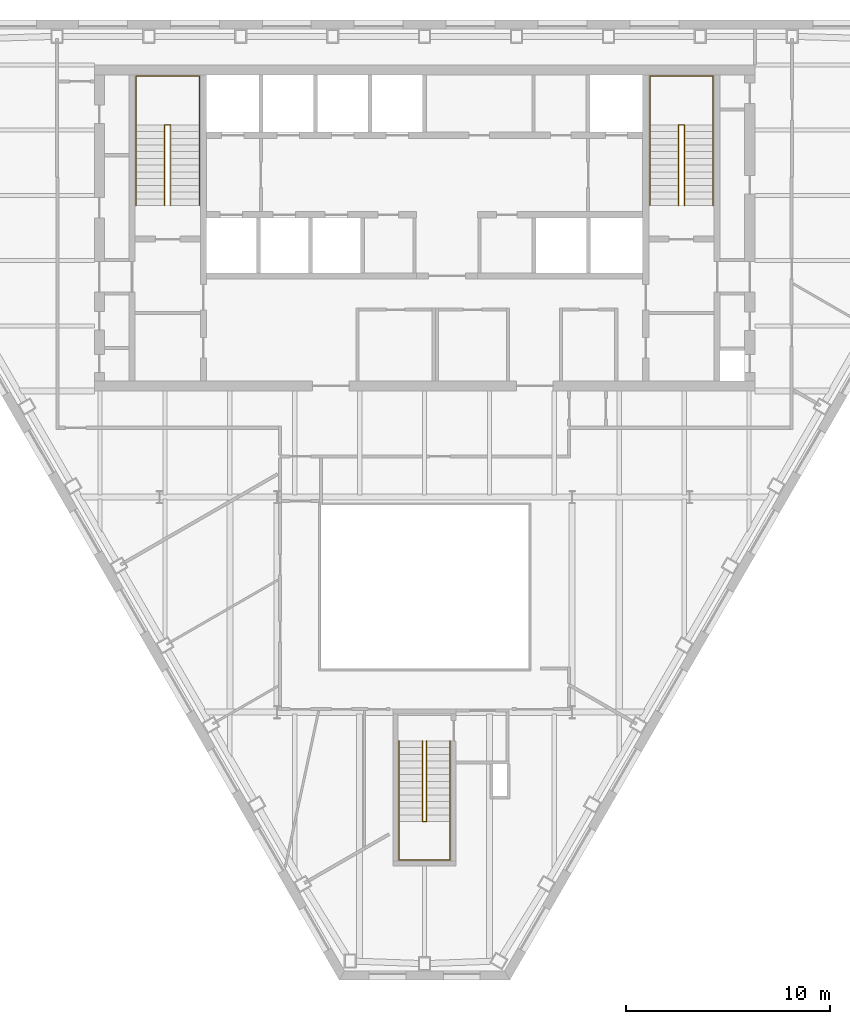
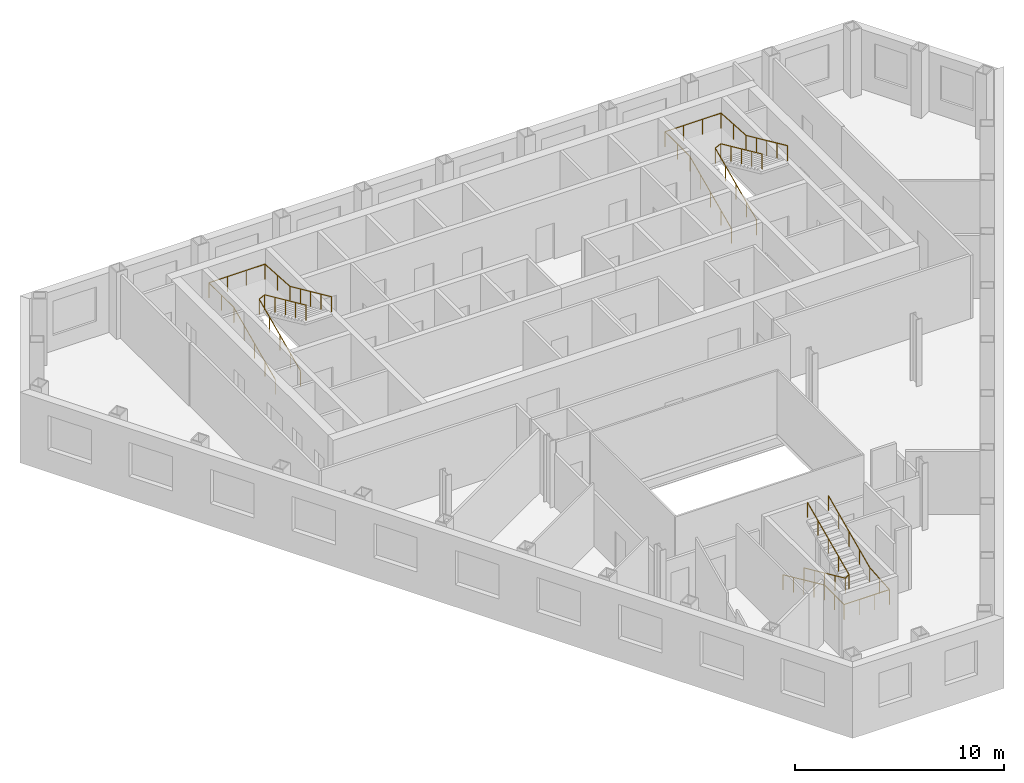
# One storey, part 10 of 10: 6 railings.
"""IFC4 building model written with IfcOpenShell, lengths in metres."""

from ifc_helpers import new_model, si_unit, direction, frame, origin, origin_2d, place, context, subcontext, project, spatial, circle, extrude, material, type_object, element, save


model = new_model("IFC4")

# Units and contexts
model_context = context("Model", 3, precision=1e-05, world=origin(), true_north=direction((0.0, 1.0)))
body_context = subcontext(model_context, "Body", "Model", "MODEL_VIEW")
ifc_project = project(units=[si_unit("LENGTHUNIT", "METRE"), si_unit("AREAUNIT", "SQUARE_METRE"), si_unit("VOLUMEUNIT", "CUBIC_METRE"), si_unit("PLANEANGLEUNIT", "RADIAN"), si_unit("MASSUNIT", "GRAM", prefix="KILO")], contexts=[model_context])

# Site, building, storey
site_placement = place(None, origin())
site = spatial("IfcSite", under=ifc_project, at=site_placement, CompositionType="ELEMENT")
building_placement = place(site_placement, origin())
building = spatial("IfcBuilding", under=site, at=building_placement, Name="Njiva Tower", CompositionType="ELEMENT")
storey_placement = place(building_placement, frame((0.0, 0.0, 171.0)))
storey = spatial("IfcBuildingStorey", under=building, at=storey_placement, Name="L37", CompositionType="ELEMENT", Elevation=171.0)

# Railings
ifc_material = material(Name="Stainless steel", Category="steel")
railing_type = type_object("IfcRailingType", Name="RL1 Stair handrail 900", PredefinedType="HANDRAIL", material=ifc_material)
railing_1_placement = place(storey_placement, frame((-14.15, 11.1, 0.15)))
element("IfcRailing", 1, at=railing_1_placement, inside=storey, type_object=railing_type, Name="Stair A handrail", PredefinedType="HANDRAIL", context=body_context, shape_type="SweptSolid", body=[
    extrude(circle(Radius=0.024, at=origin_2d()), frame((0.0, 0.0, 0.876), z_axis=(0.0, 0.910366477463, 0.413802944301), x_axis=(-1.0, 0.0, 0.0)), (0.0, 0.0, 1.0), 4.3499),
    extrude(circle(Radius=0.024, at=origin_2d()), frame((0.0, 3.96, 2.676), z_axis=(0.0, 1.0, 0.0), x_axis=(-1.0, 0.0, 0.0)), (0.0, 0.0, 1.0), 2.39),
    extrude(circle(Radius=0.024, at=origin_2d()), frame((0.0, 6.35, 2.676), z_axis=(1.0, 0.0, 0.0), x_axis=(0.0, 1.0, 0.0)), (0.0, 0.0, 1.0), 3.1),
    extrude(circle(Radius=0.024, at=origin_2d()), frame((3.1, 6.35, 2.676), z_axis=(0.0, -0.998036296047, 0.062638261258), x_axis=(1.0, 0.0, 0.0)), (0.0, 0.0, 1.0), 2.3947),
    extrude(circle(Radius=0.024, at=origin_2d()), frame((3.1, 3.96, 2.826), z_axis=(0.0, -0.910366477463, 0.413802944301), x_axis=(1.0, 0.0, 0.0)), (0.0, 0.0, 1.0), 4.3499),
    extrude(circle(Radius=0.021, at=origin_2d()), origin(), (0.0, 0.0, 1.0), 0.852),
    extrude(circle(Radius=0.021, at=origin_2d()), frame((0.0, 0.99, 0.45)), (0.0, 0.0, 1.0), 0.852),
    extrude(circle(Radius=0.021, at=origin_2d()), frame((0.0, 1.98, 0.9)), (0.0, 0.0, 1.0), 0.852),
    extrude(circle(Radius=0.021, at=origin_2d()), frame((0.0, 2.97, 1.35)), (0.0, 0.0, 1.0), 0.852),
    extrude(circle(Radius=0.021, at=origin_2d()), frame((0.0, 3.96, 1.8)), (0.0, 0.0, 1.0), 0.852),
    extrude(circle(Radius=0.021, at=origin_2d()), frame((0.0, 5.155, 1.8)), (0.0, 0.0, 1.0), 0.852),
    extrude(circle(Radius=0.021, at=origin_2d()), frame((0.0, 6.35, 1.8)), (0.0, 0.0, 1.0), 0.852),
    extrude(circle(Radius=0.021, at=origin_2d()), frame((1.0333, 6.35, 1.8)), (0.0, 0.0, 1.0), 0.852),
    extrude(circle(Radius=0.021, at=origin_2d()), frame((2.0667, 6.35, 1.8)), (0.0, 0.0, 1.0), 0.852),
    extrude(circle(Radius=0.021, at=origin_2d()), frame((3.1, 6.35, 1.8)), (0.0, 0.0, 1.0), 0.852),
    extrude(circle(Radius=0.021, at=origin_2d()), frame((3.1, 5.155, 1.875)), (0.0, 0.0, 1.0), 0.852),
    extrude(circle(Radius=0.021, at=origin_2d()), frame((3.1, 3.96, 1.95)), (0.0, 0.0, 1.0), 0.852),
    extrude(circle(Radius=0.021, at=origin_2d()), frame((3.1, 2.97, 2.4)), (0.0, 0.0, 1.0), 0.852),
    extrude(circle(Radius=0.021, at=origin_2d()), frame((3.1, 1.98, 2.85)), (0.0, 0.0, 1.0), 0.852),
    extrude(circle(Radius=0.021, at=origin_2d()), frame((3.1, 0.99, 3.3)), (0.0, 0.0, 1.0), 0.852),
    extrude(circle(Radius=0.021, at=origin_2d()), frame((3.1, 0.0, 3.75)), (0.0, 0.0, 1.0), 0.852),
])
railing_2_placement = place(storey_placement, frame((-12.75, 11.1, 0.15)))
element("IfcRailing", 2, at=railing_2_placement, inside=storey, type_object=railing_type, Name="Stair A handrail", PredefinedType="HANDRAIL", context=body_context, shape_type="SweptSolid", body=[
    extrude(circle(Radius=0.024, at=origin_2d()), frame((0.0, 0.0, 0.876), z_axis=(0.0, 0.910366477463, 0.413802944301), x_axis=(-1.0, 0.0, 0.0)), (0.0, 0.0, 1.0), 4.3499),
    extrude(circle(Radius=0.024, at=origin_2d()), frame((0.0, 3.96, 2.676), z_axis=(0.894427191, 0.0, 0.4472135955), x_axis=(0.0, 1.0, 0.0)), (0.0, 0.0, 1.0), 0.3354),
    extrude(circle(Radius=0.024, at=origin_2d()), frame((0.3, 3.96, 2.826), z_axis=(0.0, -0.910366477463, 0.413802944301), x_axis=(1.0, 0.0, 0.0)), (0.0, 0.0, 1.0), 4.3499),
    extrude(circle(Radius=0.021, at=origin_2d()), origin(), (0.0, 0.0, 1.0), 0.852),
    extrude(circle(Radius=0.021, at=origin_2d()), frame((0.0, 0.99, 0.45)), (0.0, 0.0, 1.0), 0.852),
    extrude(circle(Radius=0.021, at=origin_2d()), frame((0.0, 1.98, 0.9)), (0.0, 0.0, 1.0), 0.852),
    extrude(circle(Radius=0.021, at=origin_2d()), frame((0.0, 2.97, 1.35)), (0.0, 0.0, 1.0), 0.852),
    extrude(circle(Radius=0.021, at=origin_2d()), frame((0.0, 3.96, 1.8)), (0.0, 0.0, 1.0), 0.852),
    extrude(circle(Radius=0.021, at=origin_2d()), frame((0.3, 3.96, 1.95)), (0.0, 0.0, 1.0), 0.852),
    extrude(circle(Radius=0.021, at=origin_2d()), frame((0.3, 2.97, 2.4)), (0.0, 0.0, 1.0), 0.852),
    extrude(circle(Radius=0.021, at=origin_2d()), frame((0.3, 1.98, 2.85)), (0.0, 0.0, 1.0), 0.852),
    extrude(circle(Radius=0.021, at=origin_2d()), frame((0.3, 0.99, 3.3)), (0.0, 0.0, 1.0), 0.852),
    extrude(circle(Radius=0.021, at=origin_2d()), frame((0.3, 0.0, 3.75)), (0.0, 0.0, 1.0), 0.852),
])
railing_3_placement = place(storey_placement, frame((11.05, 11.1, 0.15)))
element("IfcRailing", 3, at=railing_3_placement, inside=storey, type_object=railing_type, Name="Stair B handrail", PredefinedType="HANDRAIL", context=body_context, shape_type="SweptSolid", body=[
    extrude(circle(Radius=0.024, at=origin_2d()), frame((0.0, 0.0, 0.876), z_axis=(0.0, 0.910366477463, 0.413802944301), x_axis=(-1.0, 0.0, 0.0)), (0.0, 0.0, 1.0), 4.3499),
    extrude(circle(Radius=0.024, at=origin_2d()), frame((0.0, 3.96, 2.676), z_axis=(0.0, 1.0, 0.0), x_axis=(-1.0, 0.0, 0.0)), (0.0, 0.0, 1.0), 2.39),
    extrude(circle(Radius=0.024, at=origin_2d()), frame((0.0, 6.35, 2.676), z_axis=(1.0, 0.0, 0.0), x_axis=(0.0, 1.0, 0.0)), (0.0, 0.0, 1.0), 3.1),
    extrude(circle(Radius=0.024, at=origin_2d()), frame((3.1, 6.35, 2.676), z_axis=(0.0, -0.998036296047, 0.062638261258), x_axis=(1.0, 0.0, 0.0)), (0.0, 0.0, 1.0), 2.3947),
    extrude(circle(Radius=0.024, at=origin_2d()), frame((3.1, 3.96, 2.826), z_axis=(0.0, -0.910366477463, 0.413802944301), x_axis=(1.0, 0.0, 0.0)), (0.0, 0.0, 1.0), 4.3499),
    extrude(circle(Radius=0.021, at=origin_2d()), origin(), (0.0, 0.0, 1.0), 0.852),
    extrude(circle(Radius=0.021, at=origin_2d()), frame((0.0, 0.99, 0.45)), (0.0, 0.0, 1.0), 0.852),
    extrude(circle(Radius=0.021, at=origin_2d()), frame((0.0, 1.98, 0.9)), (0.0, 0.0, 1.0), 0.852),
    extrude(circle(Radius=0.021, at=origin_2d()), frame((0.0, 2.97, 1.35)), (0.0, 0.0, 1.0), 0.852),
    extrude(circle(Radius=0.021, at=origin_2d()), frame((0.0, 3.96, 1.8)), (0.0, 0.0, 1.0), 0.852),
    extrude(circle(Radius=0.021, at=origin_2d()), frame((0.0, 5.155, 1.8)), (0.0, 0.0, 1.0), 0.852),
    extrude(circle(Radius=0.021, at=origin_2d()), frame((0.0, 6.35, 1.8)), (0.0, 0.0, 1.0), 0.852),
    extrude(circle(Radius=0.021, at=origin_2d()), frame((1.0333, 6.35, 1.8)), (0.0, 0.0, 1.0), 0.852),
    extrude(circle(Radius=0.021, at=origin_2d()), frame((2.0667, 6.35, 1.8)), (0.0, 0.0, 1.0), 0.852),
    extrude(circle(Radius=0.021, at=origin_2d()), frame((3.1, 6.35, 1.8)), (0.0, 0.0, 1.0), 0.852),
    extrude(circle(Radius=0.021, at=origin_2d()), frame((3.1, 5.155, 1.875)), (0.0, 0.0, 1.0), 0.852),
    extrude(circle(Radius=0.021, at=origin_2d()), frame((3.1, 3.96, 1.95)), (0.0, 0.0, 1.0), 0.852),
    extrude(circle(Radius=0.021, at=origin_2d()), frame((3.1, 2.97, 2.4)), (0.0, 0.0, 1.0), 0.852),
    extrude(circle(Radius=0.021, at=origin_2d()), frame((3.1, 1.98, 2.85)), (0.0, 0.0, 1.0), 0.852),
    extrude(circle(Radius=0.021, at=origin_2d()), frame((3.1, 0.99, 3.3)), (0.0, 0.0, 1.0), 0.852),
    extrude(circle(Radius=0.021, at=origin_2d()), frame((3.1, 0.0, 3.75)), (0.0, 0.0, 1.0), 0.852),
])
railing_4_placement = place(storey_placement, frame((12.45, 11.1, 0.15)))
element("IfcRailing", 4, at=railing_4_placement, inside=storey, type_object=railing_type, Name="Stair B handrail", PredefinedType="HANDRAIL", context=body_context, shape_type="SweptSolid", body=[
    extrude(circle(Radius=0.024, at=origin_2d()), frame((0.0, 0.0, 0.876), z_axis=(0.0, 0.910366477463, 0.413802944301), x_axis=(-1.0, 0.0, 0.0)), (0.0, 0.0, 1.0), 4.3499),
    extrude(circle(Radius=0.024, at=origin_2d()), frame((0.0, 3.96, 2.676), z_axis=(0.894427191, 0.0, 0.4472135955), x_axis=(0.0, 1.0, 0.0)), (0.0, 0.0, 1.0), 0.3354),
    extrude(circle(Radius=0.024, at=origin_2d()), frame((0.3, 3.96, 2.826), z_axis=(0.0, -0.910366477463, 0.413802944301), x_axis=(1.0, 0.0, 0.0)), (0.0, 0.0, 1.0), 4.3499),
    extrude(circle(Radius=0.021, at=origin_2d()), origin(), (0.0, 0.0, 1.0), 0.852),
    extrude(circle(Radius=0.021, at=origin_2d()), frame((0.0, 0.99, 0.45)), (0.0, 0.0, 1.0), 0.852),
    extrude(circle(Radius=0.021, at=origin_2d()), frame((0.0, 1.98, 0.9)), (0.0, 0.0, 1.0), 0.852),
    extrude(circle(Radius=0.021, at=origin_2d()), frame((0.0, 2.97, 1.35)), (0.0, 0.0, 1.0), 0.852),
    extrude(circle(Radius=0.021, at=origin_2d()), frame((0.0, 3.96, 1.8)), (0.0, 0.0, 1.0), 0.852),
    extrude(circle(Radius=0.021, at=origin_2d()), frame((0.3, 3.96, 1.95)), (0.0, 0.0, 1.0), 0.852),
    extrude(circle(Radius=0.021, at=origin_2d()), frame((0.3, 2.97, 2.4)), (0.0, 0.0, 1.0), 0.852),
    extrude(circle(Radius=0.021, at=origin_2d()), frame((0.3, 1.98, 2.85)), (0.0, 0.0, 1.0), 0.852),
    extrude(circle(Radius=0.021, at=origin_2d()), frame((0.3, 0.99, 3.3)), (0.0, 0.0, 1.0), 0.852),
    extrude(circle(Radius=0.021, at=origin_2d()), frame((0.3, 0.0, 3.75)), (0.0, 0.0, 1.0), 0.852),
])
railing_5_placement = place(storey_placement, frame((-1.25, -15.16, 0.15)))
element("IfcRailing", 5, at=railing_5_placement, inside=storey, type_object=railing_type, Name="Stair C handrail", PredefinedType="HANDRAIL", context=body_context, shape_type="SweptSolid", body=[
    extrude(circle(Radius=0.024, at=origin_2d()), frame((0.0, 0.0, 0.876), z_axis=(0.0, -0.910366477463, 0.413802944301), x_axis=(1.0, 0.0, 0.0)), (0.0, 0.0, 1.0), 4.3499),
    extrude(circle(Radius=0.024, at=origin_2d()), frame((0.0, -3.96, 2.676), z_axis=(0.0, -1.0, 0.0), x_axis=(1.0, 0.0, 0.0)), (0.0, 0.0, 1.0), 1.88),
    extrude(circle(Radius=0.024, at=origin_2d()), frame((0.0, -5.84, 2.676), z_axis=(1.0, 0.0, 0.0), x_axis=(0.0, 1.0, 0.0)), (0.0, 0.0, 1.0), 2.5),
    extrude(circle(Radius=0.024, at=origin_2d()), frame((2.5, -5.84, 2.676), z_axis=(0.0, 0.996832115713, 0.079534477318), x_axis=(-1.0, 0.0, 0.0)), (0.0, 0.0, 1.0), 1.886),
    extrude(circle(Radius=0.024, at=origin_2d()), frame((2.5, -3.96, 2.826), z_axis=(0.0, 0.910366477463, 0.413802944301), x_axis=(-1.0, 0.0, 0.0)), (0.0, 0.0, 1.0), 4.3499),
    extrude(circle(Radius=0.021, at=origin_2d()), origin(), (0.0, 0.0, 1.0), 0.852),
    extrude(circle(Radius=0.021, at=origin_2d()), frame((0.0, -0.99, 0.45)), (0.0, 0.0, 1.0), 0.852),
    extrude(circle(Radius=0.021, at=origin_2d()), frame((0.0, -1.98, 0.9)), (0.0, 0.0, 1.0), 0.852),
    extrude(circle(Radius=0.021, at=origin_2d()), frame((0.0, -2.97, 1.35)), (0.0, 0.0, 1.0), 0.852),
    extrude(circle(Radius=0.021, at=origin_2d()), frame((0.0, -3.96, 1.8)), (0.0, 0.0, 1.0), 0.852),
    extrude(circle(Radius=0.021, at=origin_2d()), frame((0.0, -4.9, 1.8)), (0.0, 0.0, 1.0), 0.852),
    extrude(circle(Radius=0.021, at=origin_2d()), frame((0.0, -5.84, 1.8)), (0.0, 0.0, 1.0), 0.852),
    extrude(circle(Radius=0.021, at=origin_2d()), frame((0.8333, -5.84, 1.8)), (0.0, 0.0, 1.0), 0.852),
    extrude(circle(Radius=0.021, at=origin_2d()), frame((1.6667, -5.84, 1.8)), (0.0, 0.0, 1.0), 0.852),
    extrude(circle(Radius=0.021, at=origin_2d()), frame((2.5, -5.84, 1.8)), (0.0, 0.0, 1.0), 0.852),
    extrude(circle(Radius=0.021, at=origin_2d()), frame((2.5, -4.9, 1.875)), (0.0, 0.0, 1.0), 0.852),
    extrude(circle(Radius=0.021, at=origin_2d()), frame((2.5, -3.96, 1.95)), (0.0, 0.0, 1.0), 0.852),
    extrude(circle(Radius=0.021, at=origin_2d()), frame((2.5, -2.97, 2.4)), (0.0, 0.0, 1.0), 0.852),
    extrude(circle(Radius=0.021, at=origin_2d()), frame((2.5, -1.98, 2.85)), (0.0, 0.0, 1.0), 0.852),
    extrude(circle(Radius=0.021, at=origin_2d()), frame((2.5, -0.99, 3.3)), (0.0, 0.0, 1.0), 0.852),
    extrude(circle(Radius=0.021, at=origin_2d()), frame((2.5, 0.0, 3.75)), (0.0, 0.0, 1.0), 0.852),
])
railing_6_placement = place(storey_placement, frame((-0.1, -15.16, 0.15)))
element("IfcRailing", 6, at=railing_6_placement, inside=storey, type_object=railing_type, Name="Stair C handrail", PredefinedType="HANDRAIL", context=body_context, shape_type="SweptSolid", body=[
    extrude(circle(Radius=0.024, at=origin_2d()), frame((0.0, 0.0, 0.876), z_axis=(0.0, -0.910366477463, 0.413802944301), x_axis=(1.0, 0.0, 0.0)), (0.0, 0.0, 1.0), 4.3499),
    extrude(circle(Radius=0.024, at=origin_2d()), frame((0.0, -3.96, 2.676), z_axis=(0.8, 0.0, 0.6), x_axis=(0.0, 1.0, 0.0)), (0.0, 0.0, 1.0), 0.25),
    extrude(circle(Radius=0.024, at=origin_2d()), frame((0.2, -3.96, 2.826), z_axis=(0.0, 0.910366477463, 0.413802944301), x_axis=(-1.0, 0.0, 0.0)), (0.0, 0.0, 1.0), 4.3499),
    extrude(circle(Radius=0.021, at=origin_2d()), origin(), (0.0, 0.0, 1.0), 0.852),
    extrude(circle(Radius=0.021, at=origin_2d()), frame((0.0, -0.99, 0.45)), (0.0, 0.0, 1.0), 0.852),
    extrude(circle(Radius=0.021, at=origin_2d()), frame((0.0, -1.98, 0.9)), (0.0, 0.0, 1.0), 0.852),
    extrude(circle(Radius=0.021, at=origin_2d()), frame((0.0, -2.97, 1.35)), (0.0, 0.0, 1.0), 0.852),
    extrude(circle(Radius=0.021, at=origin_2d()), frame((0.0, -3.96, 1.8)), (0.0, 0.0, 1.0), 0.852),
    extrude(circle(Radius=0.021, at=origin_2d()), frame((0.2, -3.96, 1.95)), (0.0, 0.0, 1.0), 0.852),
    extrude(circle(Radius=0.021, at=origin_2d()), frame((0.2, -2.97, 2.4)), (0.0, 0.0, 1.0), 0.852),
    extrude(circle(Radius=0.021, at=origin_2d()), frame((0.2, -1.98, 2.85)), (0.0, 0.0, 1.0), 0.852),
    extrude(circle(Radius=0.021, at=origin_2d()), frame((0.2, -0.99, 3.3)), (0.0, 0.0, 1.0), 0.852),
    extrude(circle(Radius=0.021, at=origin_2d()), frame((0.2, 0.0, 3.75)), (0.0, 0.0, 1.0), 0.852),
])

save(model, "model.ifc")
